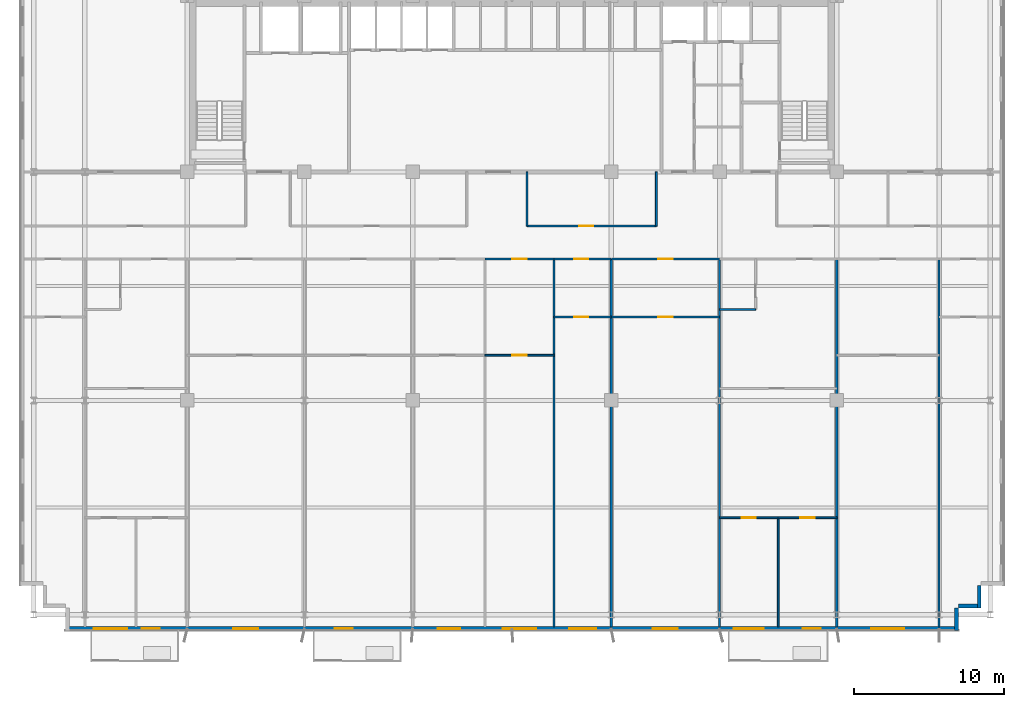
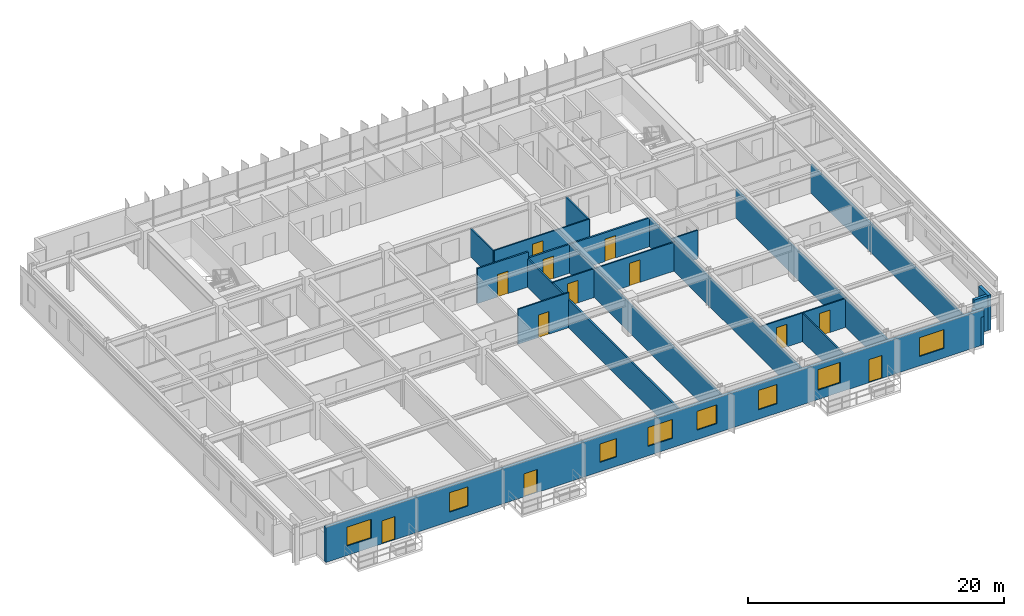
# One storey, part 16 of 22: 22 walls, 12 doors, 8 windows, 20 openings.
"""IFC4 building model written with IfcOpenShell, lengths in metres."""

from ifc_helpers import new_model, si_unit, direction, frame, frame_2d, origin, place, context, subcontext, project, spatial, rectangle, extrude, source, transform, mapped, material, layer, layer_set, type_object, element, fill, save


model = new_model("IFC4")

# Units and contexts
model_context = context("Model", 3, precision=1e-05, world=origin(), true_north=direction((0.0, 1.0)))
body_context = subcontext(model_context, "Body", "Model", "MODEL_VIEW")
ifc_project = project(units=[si_unit("LENGTHUNIT", "METRE"), si_unit("AREAUNIT", "SQUARE_METRE"), si_unit("VOLUMEUNIT", "CUBIC_METRE"), si_unit("PLANEANGLEUNIT", "RADIAN"), si_unit("MASSUNIT", "GRAM", prefix="KILO")], contexts=[model_context])

# Site, building, storey
site_placement = place(None, origin())
site = spatial("IfcSite", under=ifc_project, at=site_placement, CompositionType="ELEMENT")
building_placement = place(site_placement, origin())
building = spatial("IfcBuilding", under=site, at=building_placement, Name="Trelvane Seafront Commons", CompositionType="ELEMENT")
storey_placement = place(building_placement, frame((0.0, 0.0, 59.5)))
storey = spatial("IfcBuildingStorey", under=building, at=storey_placement, Name="L15", CompositionType="ELEMENT", Elevation=59.5)

# Walls
ifc_material_1 = material(Name="Precast concrete C40/50", Category="concrete")
ifc_layer_1 = layer(ifc_material_1, 0.260009765625, Name="ARCH-WALL-EXT260")
ifc_layer_set_1 = layer_set([ifc_layer_1], Name="Precast concrete C40/50")
wall_type_1 = type_object("IfcWallType", Name="ARCH-WALL-EXT260", PredefinedType="SOLIDWALL", material=ifc_layer_set_1)
for number, where, z_axis, x_axis, name in (
    (1, (68.27001953125, 5.89990234375, 0.0), (0.0, 0.0, 1.0), (0.0, -1.0, 0.0), "EW-L15-00271"),
    (2, (68.39990234375, 4.530029296875, 0.0), (0.0, 0.0, 1.0), (-1.0, 0.0, 0.0), "EW-L15-00272"),
):
    element("IfcWall", number, at=place(storey_placement, frame(where, z_axis=z_axis, x_axis=x_axis)), inside=storey, type_object=wall_type_1, Name=name, PredefinedType="SOLIDWALL", context=body_context, shape_type="SweptSolid", body=[
        extrude(rectangle(XDim=1.5, YDim=0.260009765625, at=frame_2d((0.75, 0.0))), origin(), (0.0, 0.0, 1.0), 3.340087890625),
    ])
wall_1_placement = place(storey_placement, frame((66.77001953125, 4.39990234375, 0.0), z_axis=(0.0, 0.0, 1.0), x_axis=(0.0, -1.0, 0.0)))
element("IfcWall", 3, at=wall_1_placement, inside=storey, type_object=wall_type_1, Name="EW-L15-00273", PredefinedType="SOLIDWALL", context=body_context, shape_type="SweptSolid", body=[
    extrude(rectangle(XDim=1.5, YDim=0.260009765625, at=frame_2d((0.75, 0.0))), origin(), (0.0, 0.0, 1.0), 2.68994140625),
])

# Wall, openings, doors, windows
wall_2_placement = place(storey_placement, frame((66.89990234375, 3.030029296875, 0.0), z_axis=(0.0, 0.0, 1.0), x_axis=(-1.0, 0.0, 0.0)))
wall_2 = element("IfcWall", 4, at=wall_2_placement, inside=storey, type_object=wall_type_1, Name="EW-L15-00274", PredefinedType="SOLIDWALL", context=body_context, shape_type="SweptSolid", body=[
    extrude(rectangle(XDim=59.39990234375, YDim=0.260009765625, at=frame_2d((29.699951171875, 0.0))), origin(), (0.0, 0.0, 1.0), 3.340087890625),
])
opening_1_placement = place(wall_2_placement, frame((3.60009765625, 0.0, 0.89990234375)))
opening_1 = element("IfcOpeningElement", 5, at=opening_1_placement, cuts=wall_2, Name="Opening W02", PredefinedType="OPENING", context=body_context, shape_type="SweptSolid", body=[
    extrude(rectangle(XDim=2.199951171875, YDim=1.800048828125, at=frame_2d((1.10009765625, 0.89990234375))), frame((0.0, 0.139892578125, 0.0), z_axis=(0.0, -1.0, 0.0), x_axis=(1.0, 0.0, 0.0)), (0.0, 0.0, 1.0), 0.280029296875),
])
opening_2_placement = place(wall_2_placement, frame((9.179931640625, 0.0, 0.0)))
opening_2 = element("IfcOpeningElement", 6, at=opening_2_placement, cuts=wall_2, Name="Opening BD-L15-39", PredefinedType="OPENING", context=body_context, shape_type="SweptSolid", body=[
    extrude(rectangle(XDim=1.199951171875, YDim=2.199951171875, at=frame_2d((0.60009765625, 1.10009765625))), frame((0.0, 0.139892578125, 0.0), z_axis=(0.0, -1.0, 0.0), x_axis=(1.0, 0.0, 0.0)), (0.0, 0.0, 1.0), 0.280029296875),
])
opening_3_placement = place(wall_2_placement, frame((12.949951171875, 0.0, 0.89990234375)))
opening_3 = element("IfcOpeningElement", 7, at=opening_3_placement, cuts=wall_2, Name="Opening W06", PredefinedType="OPENING", context=body_context, shape_type="SweptSolid", body=[
    extrude(rectangle(XDim=2.0, YDim=1.949951171875, at=frame_2d((1.0, 0.97509765625))), frame((0.0, 0.139892578125, 0.0), z_axis=(0.0, -1.0, 0.0), x_axis=(1.0, 0.0, 0.0)), (0.0, 0.0, 1.0), 0.280029296875),
])
opening_4_placement = place(wall_2_placement, frame((18.675048828125, 0.0, 0.89990234375)))
opening_4 = element("IfcOpeningElement", 8, at=opening_4_placement, cuts=wall_2, Name="Opening W07", PredefinedType="OPENING", context=body_context, shape_type="SweptSolid", body=[
    extrude(rectangle(XDim=1.64990234375, YDim=1.85009765625, at=frame_2d((0.824951171875, 0.925048828125))), frame((0.0, 0.139892578125, 0.0), z_axis=(0.0, -1.0, 0.0), x_axis=(1.0, 0.0, 0.0)), (0.0, 0.0, 1.0), 0.280029296875),
])
opening_5_placement = place(wall_2_placement, frame((24.10009765625, 0.0, 0.89990234375)))
opening_5 = element("IfcOpeningElement", 9, at=opening_5_placement, cuts=wall_2, Name="Opening W01", PredefinedType="OPENING", context=body_context, shape_type="SweptSolid", body=[
    extrude(rectangle(XDim=1.800048828125, YDim=1.800048828125, at=frame_2d((0.89990234375, 0.89990234375))), frame((0.0, 0.139892578125, 0.0), z_axis=(0.0, -1.0, 0.0), x_axis=(1.0, 0.0, 0.0)), (0.0, 0.0, 1.0), 0.280029296875),
])
opening_6_placement = place(wall_2_placement, frame((28.10009765625, 0.0, 0.89990234375)))
opening_6 = element("IfcOpeningElement", 10, at=opening_6_placement, cuts=wall_2, Name="Opening W02", PredefinedType="OPENING", context=body_context, shape_type="SweptSolid", body=[
    extrude(rectangle(XDim=2.199951171875, YDim=1.800048828125, at=frame_2d((1.10009765625, 0.89990234375))), frame((0.0, 0.139892578125, 0.0), z_axis=(0.0, -1.0, 0.0), x_axis=(1.0, 0.0, 0.0)), (0.0, 0.0, 1.0), 0.280029296875),
])
opening_7_placement = place(wall_2_placement, frame((33.14990234375, 0.0, 0.89990234375)))
opening_7 = element("IfcOpeningElement", 11, at=opening_7_placement, cuts=wall_2, Name="Opening W03", PredefinedType="OPENING", context=body_context, shape_type="SweptSolid", body=[
    extrude(rectangle(XDim=1.5, YDim=1.75, at=frame_2d((0.75, 0.875))), frame((0.0, 0.139892578125, 0.0), z_axis=(0.0, -1.0, 0.0), x_axis=(1.0, 0.0, 0.0)), (0.0, 0.0, 1.0), 0.280029296875),
])
opening_8_placement = place(wall_2_placement, frame((40.301025390625, 0.0, 0.0)))
opening_8 = element("IfcOpeningElement", 12, at=opening_8_placement, cuts=wall_2, Name="Opening BD-L15-40", PredefinedType="OPENING", context=body_context, shape_type="SweptSolid", body=[
    extrude(rectangle(XDim=1.199951171875, YDim=2.199951171875, at=frame_2d((0.60009765625, 1.10009765625))), frame((0.0, 0.139892578125, 0.0), z_axis=(0.0, -1.0, 0.0), x_axis=(1.0, 0.0, 0.0)), (0.0, 0.0, 1.0), 0.280029296875),
])
opening_9_placement = place(wall_2_placement, frame((46.574951171875, 0.0, 0.89990234375)))
opening_9 = element("IfcOpeningElement", 13, at=opening_9_placement, cuts=wall_2, Name="Opening W07", PredefinedType="OPENING", context=body_context, shape_type="SweptSolid", body=[
    extrude(rectangle(XDim=1.64990234375, YDim=1.85009765625, at=frame_2d((0.824951171875, 0.925048828125))), frame((0.0, 0.139892578125, 0.0), z_axis=(0.0, -1.0, 0.0), x_axis=(1.0, 0.0, 0.0)), (0.0, 0.0, 1.0), 0.280029296875),
])
opening_10_placement = place(wall_2_placement, frame((53.135986328125, 0.0, 0.0)))
opening_10 = element("IfcOpeningElement", 14, at=opening_10_placement, cuts=wall_2, Name="Opening BD-L15-41", PredefinedType="OPENING", context=body_context, shape_type="SweptSolid", body=[
    extrude(rectangle(XDim=1.199951171875, YDim=2.199951171875, at=frame_2d((0.60009765625, 1.10009765625))), frame((0.0, 0.139892578125, 0.0), z_axis=(0.0, -1.0, 0.0), x_axis=(1.0, 0.0, 0.0)), (0.0, 0.0, 1.0), 0.280029296875),
])
opening_11_placement = place(wall_2_placement, frame((55.300048828125, 0.0, 0.89990234375)))
opening_11 = element("IfcOpeningElement", 15, at=opening_11_placement, cuts=wall_2, Name="Opening W02", PredefinedType="OPENING", context=body_context, shape_type="SweptSolid", body=[
    extrude(rectangle(XDim=2.199951171875, YDim=1.800048828125, at=frame_2d((1.10009765625, 0.89990234375))), frame((0.0, 0.139892578125, 0.0), z_axis=(0.0, -1.0, 0.0), x_axis=(1.0, 0.0, 0.0)), (0.0, 0.0, 1.0), 0.280029296875),
])
ifc_material_2 = material(Name="Powder-coated aluminium frame", Category="aluminium")
door_type_1 = type_object("IfcDoorType", Name="ARCH-DR-BAL1200", OperationType="NOTDEFINED", PredefinedType="DOOR", material=ifc_material_2)
shared_shape_1 = source(origin(), body_context, "Body", "SweptSolid", [
    extrude(rectangle(XDim=1.199951171875, YDim=2.199951171875, at=frame_2d((0.60009765625, 1.10009765625))), frame((0.0, 0.02490234375, 0.0), z_axis=(0.0, -1.0, 0.0), x_axis=(1.0, 0.0, 0.0)), (0.0, 0.0, 1.0), 0.050048828125),
])
door_1_placement = place(opening_2_placement, origin())
door_1 = element("IfcDoor", 16, at=door_1_placement, inside=storey, type_object=door_type_1, Name="L15 Balcony Terrace Access Door", OperationType="SINGLE_SWING_LEFT", OverallHeight=2.199951171875, OverallWidth=1.199951171875, PredefinedType="DOOR", context=body_context, shape_type="MappedRepresentation", body=[
    mapped(shared_shape_1, transform((0.0, 0.0, 0.0), x_axis=(1.0, 0.0, 0.0), y_axis=(0.0, 1.0, 0.0), z_axis=(0.0, 0.0, 1.0), scale=1.0)),
])
fill(opening_2, door_1)
door_2_placement = place(opening_8_placement, origin())
door_2 = element("IfcDoor", 17, at=door_2_placement, inside=storey, type_object=door_type_1, Name="L15 Balcony Terrace Access Door", OperationType="SINGLE_SWING_LEFT", OverallHeight=2.199951171875, OverallWidth=1.199951171875, PredefinedType="DOOR", context=body_context, shape_type="MappedRepresentation", body=[
    mapped(shared_shape_1, transform((0.0, 0.0, 0.0), x_axis=(1.0, 0.0, 0.0), y_axis=(0.0, 1.0, 0.0), z_axis=(0.0, 0.0, 1.0), scale=1.0)),
])
fill(opening_8, door_2)
door_3_placement = place(opening_10_placement, origin())
door_3 = element("IfcDoor", 18, at=door_3_placement, inside=storey, type_object=door_type_1, Name="L15 Balcony Terrace Access Door", OperationType="SINGLE_SWING_LEFT", OverallHeight=2.199951171875, OverallWidth=1.199951171875, PredefinedType="DOOR", context=body_context, shape_type="MappedRepresentation", body=[
    mapped(shared_shape_1, transform((0.0, 0.0, 0.0), x_axis=(1.0, 0.0, 0.0), y_axis=(0.0, 1.0, 0.0), z_axis=(0.0, 0.0, 1.0), scale=1.0)),
])
fill(opening_10, door_3)
ifc_material_3 = material(Name="Low-E coastal double glazing", Category="glass")
window_type_1 = type_object("IfcWindowType", Name="ARCH-WIN-W02", PartitioningType="SINGLE_PANEL", PredefinedType="WINDOW", material=ifc_material_3)
shared_shape_2 = source(origin(), body_context, "Body", "SweptSolid", [
    extrude(rectangle(XDim=2.199951171875, YDim=1.800048828125, at=frame_2d((1.10009765625, 0.89990234375))), frame((0.0, 0.030029296875, 0.0), z_axis=(0.0, -1.0, 0.0), x_axis=(1.0, 0.0, 0.0)), (0.0, 0.0, 1.0), 0.06005859375),
])
window_1_placement = place(opening_1_placement, origin())
window_1 = element("IfcWindow", 19, at=window_1_placement, inside=storey, type_object=window_type_1, Name="WIN-L15-00324", OverallHeight=1.800048828125, OverallWidth=2.199951171875, PartitioningType="SINGLE_PANEL", PredefinedType="WINDOW", context=body_context, shape_type="MappedRepresentation", body=[
    mapped(shared_shape_2, transform((0.0, 0.0, 0.0), x_axis=(1.0, 0.0, 0.0), y_axis=(0.0, 1.0, 0.0), z_axis=(0.0, 0.0, 1.0), scale=1.0)),
])
fill(opening_1, window_1)
window_2_placement = place(opening_6_placement, origin())
window_2 = element("IfcWindow", 20, at=window_2_placement, inside=storey, type_object=window_type_1, Name="WIN-L15-00328", OverallHeight=1.800048828125, OverallWidth=2.199951171875, PartitioningType="SINGLE_PANEL", PredefinedType="WINDOW", context=body_context, shape_type="MappedRepresentation", body=[
    mapped(shared_shape_2, transform((0.0, 0.0, 0.0), x_axis=(1.0, 0.0, 0.0), y_axis=(0.0, 1.0, 0.0), z_axis=(0.0, 0.0, 1.0), scale=1.0)),
])
fill(opening_6, window_2)
window_3_placement = place(opening_11_placement, origin())
window_3 = element("IfcWindow", 21, at=window_3_placement, inside=storey, type_object=window_type_1, Name="WIN-L15-00331", OverallHeight=1.800048828125, OverallWidth=2.199951171875, PartitioningType="SINGLE_PANEL", PredefinedType="WINDOW", context=body_context, shape_type="MappedRepresentation", body=[
    mapped(shared_shape_2, transform((0.0, 0.0, 0.0), x_axis=(1.0, 0.0, 0.0), y_axis=(0.0, 1.0, 0.0), z_axis=(0.0, 0.0, 1.0), scale=1.0)),
])
fill(opening_11, window_3)
window_type_2 = type_object("IfcWindowType", Name="ARCH-WIN-W03", PartitioningType="SINGLE_PANEL", PredefinedType="WINDOW", material=ifc_material_3)
shared_shape_3 = source(origin(), body_context, "Body", "SweptSolid", [
    extrude(rectangle(XDim=1.5, YDim=1.75, at=frame_2d((0.75, 0.875))), frame((0.0, 0.030029296875, 0.0), z_axis=(0.0, -1.0, 0.0), x_axis=(1.0, 0.0, 0.0)), (0.0, 0.0, 1.0), 0.06005859375),
])
window_4_placement = place(opening_7_placement, origin())
window_4 = element("IfcWindow", 22, at=window_4_placement, inside=storey, type_object=window_type_2, Name="WIN-L15-00329", OverallHeight=1.75, OverallWidth=1.5, PartitioningType="SINGLE_PANEL", PredefinedType="WINDOW", context=body_context, shape_type="MappedRepresentation", body=[
    mapped(shared_shape_3, transform((0.0, 0.0, 0.0), x_axis=(1.0, 0.0, 0.0), y_axis=(0.0, 1.0, 0.0), z_axis=(0.0, 0.0, 1.0), scale=1.0)),
])
fill(opening_7, window_4)
window_type_3 = type_object("IfcWindowType", Name="ARCH-WIN-W06", PartitioningType="SINGLE_PANEL", PredefinedType="WINDOW", material=ifc_material_3)
shared_shape_4 = source(origin(), body_context, "Body", "SweptSolid", [
    extrude(rectangle(XDim=2.0, YDim=1.949951171875, at=frame_2d((1.0, 0.97509765625))), frame((0.0, 0.030029296875, 0.0), z_axis=(0.0, -1.0, 0.0), x_axis=(1.0, 0.0, 0.0)), (0.0, 0.0, 1.0), 0.06005859375),
])
window_5_placement = place(opening_3_placement, origin())
window_5 = element("IfcWindow", 23, at=window_5_placement, inside=storey, type_object=window_type_3, Name="WIN-L15-00325", OverallHeight=1.949951171875, OverallWidth=2.0, PartitioningType="SINGLE_PANEL", PredefinedType="WINDOW", context=body_context, shape_type="MappedRepresentation", body=[
    mapped(shared_shape_4, transform((0.0, 0.0, 0.0), x_axis=(1.0, 0.0, 0.0), y_axis=(0.0, 1.0, 0.0), z_axis=(0.0, 0.0, 1.0), scale=1.0)),
])
fill(opening_3, window_5)
window_type_4 = type_object("IfcWindowType", Name="ARCH-WIN-W01", PartitioningType="SINGLE_PANEL", PredefinedType="WINDOW", material=ifc_material_3)
shared_shape_5 = source(origin(), body_context, "Body", "SweptSolid", [
    extrude(rectangle(XDim=1.800048828125, YDim=1.800048828125, at=frame_2d((0.89990234375, 0.89990234375))), frame((0.0, 0.030029296875, 0.0), z_axis=(0.0, -1.0, 0.0), x_axis=(1.0, 0.0, 0.0)), (0.0, 0.0, 1.0), 0.06005859375),
])
window_6_placement = place(opening_5_placement, origin())
window_6 = element("IfcWindow", 24, at=window_6_placement, inside=storey, type_object=window_type_4, Name="WIN-L15-00327", OverallHeight=1.800048828125, OverallWidth=1.800048828125, PartitioningType="SINGLE_PANEL", PredefinedType="WINDOW", context=body_context, shape_type="MappedRepresentation", body=[
    mapped(shared_shape_5, transform((0.0, 0.0, 0.0), x_axis=(1.0, 0.0, 0.0), y_axis=(0.0, 1.0, 0.0), z_axis=(0.0, 0.0, 1.0), scale=1.0)),
])
fill(opening_5, window_6)
window_type_5 = type_object("IfcWindowType", Name="ARCH-WIN-W07", PartitioningType="SINGLE_PANEL", PredefinedType="WINDOW", material=ifc_material_3)
shared_shape_6 = source(origin(), body_context, "Body", "SweptSolid", [
    extrude(rectangle(XDim=1.64990234375, YDim=1.85009765625, at=frame_2d((0.824951171875, 0.925048828125))), frame((0.0, 0.030029296875, 0.0), z_axis=(0.0, -1.0, 0.0), x_axis=(1.0, 0.0, 0.0)), (0.0, 0.0, 1.0), 0.06005859375),
])
window_7_placement = place(opening_4_placement, origin())
window_7 = element("IfcWindow", 25, at=window_7_placement, inside=storey, type_object=window_type_5, Name="WIN-L15-00326", OverallHeight=1.85009765625, OverallWidth=1.64990234375, PartitioningType="SINGLE_PANEL", PredefinedType="WINDOW", context=body_context, shape_type="MappedRepresentation", body=[
    mapped(shared_shape_6, transform((0.0, 0.0, 0.0), x_axis=(1.0, 0.0, 0.0), y_axis=(0.0, 1.0, 0.0), z_axis=(0.0, 0.0, 1.0), scale=1.0)),
])
fill(opening_4, window_7)
window_8_placement = place(opening_9_placement, origin())
window_8 = element("IfcWindow", 26, at=window_8_placement, inside=storey, type_object=window_type_5, Name="WIN-L15-00330", OverallHeight=1.85009765625, OverallWidth=1.64990234375, PartitioningType="SINGLE_PANEL", PredefinedType="WINDOW", context=body_context, shape_type="MappedRepresentation", body=[
    mapped(shared_shape_6, transform((0.0, 0.0, 0.0), x_axis=(1.0, 0.0, 0.0), y_axis=(0.0, 1.0, 0.0), z_axis=(0.0, 0.0, 1.0), scale=1.0)),
])
fill(opening_9, window_8)

# Wall, opening, door
ifc_material_4 = material(Name="Gypsum Drywall Acoustic Partition")
ifc_layer_2 = layer(ifc_material_4, 0.1201171875, Name="ARCH-WALL-PART120")
ifc_layer_set_2 = layer_set([ifc_layer_2], Name="Gypsum Drywall Acoustic Partition")
wall_type_2 = type_object("IfcWallType", Name="ARCH-WALL-PART120", PredefinedType="PARTITIONING", material=ifc_layer_set_2)
wall_3_placement = place(storey_placement, frame((38.199951171875, 29.800048828125, 0.0), z_axis=(0.0, 0.0, 1.0), x_axis=(1.0, 0.0, 0.0)))
wall_3 = element("IfcWall", 27, at=wall_3_placement, inside=storey, type_object=wall_type_2, Name="W-L15-CORR-N-M2-041", PredefinedType="PARTITIONING", context=body_context, shape_type="SweptSolid", body=[
    extrude(rectangle(XDim=8.60009765625, YDim=0.1201171875, at=frame_2d((4.300048828125, 0.0))), origin(), (0.0, 0.0, 1.0), 2.751953125),
])
opening_12_placement = place(wall_3_placement, frame((3.4619140625, 0.0, 0.0)))
opening_12 = element("IfcOpeningElement", 28, at=opening_12_placement, cuts=wall_3, Name="Opening D-L15-21", PredefinedType="OPENING", context=body_context, shape_type="SweptSolid", body=[
    extrude(rectangle(XDim=0.949951171875, YDim=2.14990234375, at=frame_2d((0.47509765625, 1.074951171875))), frame((0.0, 0.070068359375, 0.0), z_axis=(0.0, -1.0, 0.0), x_axis=(1.0, 0.0, 0.0)), (0.0, 0.0, 1.0), 0.14013671875),
])
ifc_material_5 = material(Name="Acoustic timber door leaf", Category="wood")
door_type_2 = type_object("IfcDoorType", Name="ARCH-DR-INT950", OperationType="NOTDEFINED", PredefinedType="DOOR", material=ifc_material_5)
shared_shape_7 = source(origin(), body_context, "Body", "SweptSolid", [
    extrude(rectangle(XDim=0.949951171875, YDim=2.14990234375, at=frame_2d((0.47509765625, 1.074951171875))), frame((0.0, 0.02490234375, 0.0), z_axis=(0.0, -1.0, 0.0), x_axis=(1.0, 0.0, 0.0)), (0.0, 0.0, 1.0), 0.050048828125),
])
door_4_placement = place(opening_12_placement, origin())
door_4 = element("IfcDoor", 29, at=door_4_placement, inside=storey, type_object=door_type_2, Name="L15 Door 21", OperationType="SINGLE_SWING_LEFT", OverallHeight=2.14990234375, OverallWidth=0.949951171875, PredefinedType="DOOR", context=body_context, shape_type="MappedRepresentation", body=[
    mapped(shared_shape_7, transform((0.0, 0.0, 0.0), x_axis=(1.0, 0.0, 0.0), y_axis=(0.0, 1.0, 0.0), z_axis=(0.0, 0.0, 1.0), scale=1.0)),
])
fill(opening_12, door_4)

# Walls
for number, where, z_axis, x_axis, name in (
    (30, (38.199951171875, 29.800048828125, 0.0), (0.0, 0.0, 1.0), (0.0, 1.0, 0.0), "W-L15-N-SPUR-M2-047"),
    (31, (46.800048828125, 29.800048828125, 0.0), (0.0, 0.0, 1.0), (0.0, 1.0, 0.0), "W-L15-N-SPUR-E1-048"),
):
    element("IfcWall", number, at=place(storey_placement, frame(where, z_axis=z_axis, x_axis=x_axis)), inside=storey, type_object=wall_type_2, Name=name, PredefinedType="PARTITIONING", context=body_context, shape_type="SweptSolid", body=[
        extrude(rectangle(XDim=3.599853515625, YDim=0.1201171875, at=frame_2d((1.7998046875, 0.0))), origin(), (0.0, 0.0, 1.0), 2.68994140625),
    ])

# Wall, opening, door
wall_4_placement = place(storey_placement, frame((35.39990234375, 21.199951171875, 0.0), z_axis=(0.0, 0.0, 1.0), x_axis=(1.0, 0.0, 0.0)))
wall_4 = element("IfcWall", 32, at=wall_4_placement, inside=storey, type_object=wall_type_2, Name="W-L15-U6-DIV-081", PredefinedType="PARTITIONING", context=body_context, shape_type="SweptSolid", body=[
    extrude(rectangle(XDim=4.60009765625, YDim=0.1201171875, at=frame_2d((2.300048828125, 0.0))), origin(), (0.0, 0.0, 1.0), 3.340087890625),
])
opening_13_placement = place(wall_4_placement, frame((1.824951171875, 0.0, 0.0)))
opening_13 = element("IfcOpeningElement", 33, at=opening_13_placement, cuts=wall_4, Name="Opening D-L15-43", PredefinedType="OPENING", context=body_context, shape_type="SweptSolid", body=[
    extrude(rectangle(XDim=0.949951171875, YDim=2.14990234375, at=frame_2d((0.47509765625, 1.074951171875))), frame((0.0, 0.070068359375, 0.0), z_axis=(0.0, -1.0, 0.0), x_axis=(1.0, 0.0, 0.0)), (0.0, 0.0, 1.0), 0.14013671875),
])
door_5_placement = place(opening_13_placement, origin())
door_5 = element("IfcDoor", 34, at=door_5_placement, inside=storey, type_object=door_type_2, Name="L15 Door 43", OperationType="SINGLE_SWING_LEFT", OverallHeight=2.14990234375, OverallWidth=0.949951171875, PredefinedType="DOOR", context=body_context, shape_type="MappedRepresentation", body=[
    mapped(shared_shape_7, transform((0.0, 0.0, 0.0), x_axis=(1.0, 0.0, 0.0), y_axis=(0.0, 1.0, 0.0), z_axis=(0.0, 0.0, 1.0), scale=1.0)),
])
fill(opening_13, door_5)

wall_5_placement = place(storey_placement, frame((40.0, 23.75, 0.0), z_axis=(0.0, 0.0, 1.0), x_axis=(1.0, 0.0, 0.0)))
wall_5 = element("IfcWall", 35, at=wall_5_placement, inside=storey, type_object=wall_type_2, Name="W-L15-U7-DIV-083", PredefinedType="PARTITIONING", context=body_context, shape_type="SweptSolid", body=[
    extrude(rectangle(XDim=3.800048828125, YDim=0.1201171875, at=frame_2d((1.89990234375, 0.0))), origin(), (0.0, 0.0, 1.0), 2.751953125),
])
opening_14_placement = place(wall_5_placement, frame((1.330078125, 0.0, 0.0)))
opening_14 = element("IfcOpeningElement", 36, at=opening_14_placement, cuts=wall_5, Name="Opening D-L15-45", PredefinedType="OPENING", context=body_context, shape_type="SweptSolid", body=[
    extrude(rectangle(XDim=0.949951171875, YDim=2.14990234375, at=frame_2d((0.47509765625, 1.074951171875))), frame((0.0, 0.070068359375, 0.0), z_axis=(0.0, -1.0, 0.0), x_axis=(1.0, 0.0, 0.0)), (0.0, 0.0, 1.0), 0.14013671875),
])
door_6_placement = place(opening_14_placement, origin())
door_6 = element("IfcDoor", 37, at=door_6_placement, inside=storey, type_object=door_type_2, Name="L15 Door 45", OperationType="SINGLE_SWING_LEFT", OverallHeight=2.14990234375, OverallWidth=0.949951171875, PredefinedType="DOOR", context=body_context, shape_type="MappedRepresentation", body=[
    mapped(shared_shape_7, transform((0.0, 0.0, 0.0), x_axis=(1.0, 0.0, 0.0), y_axis=(0.0, 1.0, 0.0), z_axis=(0.0, 0.0, 1.0), scale=1.0)),
])
fill(opening_14, door_6)

wall_6_placement = place(storey_placement, frame((43.800048828125, 23.75, 0.0), z_axis=(0.0, 0.0, 1.0), x_axis=(1.0, 0.0, 0.0)))
wall_6 = element("IfcWall", 38, at=wall_6_placement, inside=storey, type_object=wall_type_2, Name="W-L15-U8-DIV-085", PredefinedType="PARTITIONING", context=body_context, shape_type="SweptSolid", body=[
    extrude(rectangle(XDim=7.199951171875, YDim=0.1201171875, at=frame_2d((3.60009765625, 0.0))), origin(), (0.0, 0.0, 1.0), 2.751953125),
])
opening_15_placement = place(wall_6_placement, frame((3.125, 0.0, 0.0)))
opening_15 = element("IfcOpeningElement", 39, at=opening_15_placement, cuts=wall_6, Name="Opening D-L15-47", PredefinedType="OPENING", context=body_context, shape_type="SweptSolid", body=[
    extrude(rectangle(XDim=0.949951171875, YDim=2.14990234375, at=frame_2d((0.47509765625, 1.074951171875))), frame((0.0, 0.070068359375, 0.0), z_axis=(0.0, -1.0, 0.0), x_axis=(1.0, 0.0, 0.0)), (0.0, 0.0, 1.0), 0.14013671875),
])
door_7_placement = place(opening_15_placement, origin())
door_7 = element("IfcDoor", 40, at=door_7_placement, inside=storey, type_object=door_type_2, Name="L15 Door 47", OperationType="SINGLE_SWING_LEFT", OverallHeight=2.14990234375, OverallWidth=0.949951171875, PredefinedType="DOOR", context=body_context, shape_type="MappedRepresentation", body=[
    mapped(shared_shape_7, transform((0.0, 0.0, 0.0), x_axis=(1.0, 0.0, 0.0), y_axis=(0.0, 1.0, 0.0), z_axis=(0.0, 0.0, 1.0), scale=1.0)),
])
fill(opening_15, door_7)

# Wall
wall_7_placement = place(storey_placement, frame((51.0, 24.25, 0.0), z_axis=(0.0, 0.0, 1.0), x_axis=(1.0, 0.0, 0.0)))
element("IfcWall", 41, at=wall_7_placement, inside=storey, type_object=wall_type_2, Name="W-L15-U9-BS-088", PredefinedType="PARTITIONING", context=body_context, shape_type="SweptSolid", body=[
    extrude(rectangle(XDim=2.39990234375, YDim=0.1201171875, at=frame_2d((1.199951171875, 0.0))), origin(), (0.0, 0.0, 1.0), 2.751953125),
])

# Wall, opening, door
wall_8_placement = place(storey_placement, frame((51.0, 10.39990234375, 0.0), z_axis=(0.0, 0.0, 1.0), x_axis=(1.0, 0.0, 0.0)))
wall_8 = element("IfcWall", 42, at=wall_8_placement, inside=storey, type_object=wall_type_2, Name="W-L15-U9-YM-1-090", PredefinedType="PARTITIONING", context=body_context, shape_type="SweptSolid", body=[
    extrude(rectangle(XDim=3.89990234375, YDim=0.1201171875, at=frame_2d((1.949951171875, 0.0))), origin(), (0.0, 0.0, 1.0), 2.751953125),
])
opening_16_placement = place(wall_8_placement, frame((1.47509765625, 0.0, 0.0)))
opening_16 = element("IfcOpeningElement", 43, at=opening_16_placement, cuts=wall_8, Name="Opening D-L15-51", PredefinedType="OPENING", context=body_context, shape_type="SweptSolid", body=[
    extrude(rectangle(XDim=0.949951171875, YDim=2.14990234375, at=frame_2d((0.47509765625, 1.074951171875))), frame((0.0, 0.070068359375, 0.0), z_axis=(0.0, -1.0, 0.0), x_axis=(1.0, 0.0, 0.0)), (0.0, 0.0, 1.0), 0.14013671875),
])
door_8_placement = place(opening_16_placement, origin())
door_8 = element("IfcDoor", 44, at=door_8_placement, inside=storey, type_object=door_type_2, Name="L15 Door 51", OperationType="SINGLE_SWING_LEFT", OverallHeight=2.14990234375, OverallWidth=0.949951171875, PredefinedType="DOOR", context=body_context, shape_type="MappedRepresentation", body=[
    mapped(shared_shape_7, transform((0.0, 0.0, 0.0), x_axis=(1.0, 0.0, 0.0), y_axis=(0.0, 1.0, 0.0), z_axis=(0.0, 0.0, 1.0), scale=1.0)),
])
fill(opening_16, door_8)

wall_9_placement = place(storey_placement, frame((54.89990234375, 10.39990234375, 0.0), z_axis=(0.0, 0.0, 1.0), x_axis=(1.0, 0.0, 0.0)))
wall_9 = element("IfcWall", 45, at=wall_9_placement, inside=storey, type_object=wall_type_2, Name="W-L15-U9-YM-2-091", PredefinedType="PARTITIONING", context=body_context, shape_type="SweptSolid", body=[
    extrude(rectangle(XDim=3.900146484375, YDim=0.1201171875, at=frame_2d((1.9501953125, 0.0))), origin(), (0.0, 0.0, 1.0), 2.751953125),
])
opening_17_placement = place(wall_9_placement, frame((1.47509765625, 0.0, 0.0)))
opening_17 = element("IfcOpeningElement", 46, at=opening_17_placement, cuts=wall_9, Name="Opening D-L15-52", PredefinedType="OPENING", context=body_context, shape_type="SweptSolid", body=[
    extrude(rectangle(XDim=0.949951171875, YDim=2.14990234375, at=frame_2d((0.47509765625, 1.074951171875))), frame((0.0, 0.070068359375, 0.0), z_axis=(0.0, -1.0, 0.0), x_axis=(1.0, 0.0, 0.0)), (0.0, 0.0, 1.0), 0.14013671875),
])
door_9_placement = place(opening_17_placement, origin())
door_9 = element("IfcDoor", 47, at=door_9_placement, inside=storey, type_object=door_type_2, Name="L15 Door 52", OperationType="SINGLE_SWING_RIGHT", OverallHeight=2.14990234375, OverallWidth=0.949951171875, PredefinedType="DOOR", context=body_context, shape_type="MappedRepresentation", body=[
    mapped(shared_shape_7, transform((0.0, 0.0, 0.0), x_axis=(1.0, 0.0, 0.0), y_axis=(0.0, 1.0, 0.0), z_axis=(0.0, 0.0, 1.0), scale=1.0)),
])
fill(opening_17, door_9)

# Walls
wall_10_placement = place(storey_placement, frame((54.89990234375, 3.14501953125, 0.0), z_axis=(0.0, 0.0, 1.0), x_axis=(0.0, 1.0, 0.0)))
element("IfcWall", 48, at=wall_10_placement, inside=storey, type_object=wall_type_2, Name="W-L15-U9-BDV-1-092", PredefinedType="PARTITIONING", context=body_context, shape_type="SweptSolid", body=[
    extrude(rectangle(XDim=7.2548828125, YDim=0.1201171875, at=frame_2d((3.62744140625, 0.0))), origin(), (0.0, 0.0, 1.0), 2.68994140625),
])
ifc_layer_3 = layer(ifc_material_4, 0.14990234375, Name="ARCH-WALL-PART150")
ifc_layer_set_3 = layer_set([ifc_layer_3], Name="Gypsum Drywall Acoustic Partition")
wall_type_3 = type_object("IfcWallType", Name="ARCH-WALL-PART150", PredefinedType="PARTITIONING", material=ifc_layer_set_3)
wall_11_placement = place(storey_placement, frame((40.0, 3.14501953125, 0.0), z_axis=(0.0, 0.0, 1.0), x_axis=(0.0, 1.0, 0.0)))
element("IfcWall", 49, at=wall_11_placement, inside=storey, type_object=wall_type_3, Name="W-L15-PW-6-060", PredefinedType="PARTITIONING", context=body_context, shape_type="SweptSolid", body=[
    extrude(rectangle(XDim=24.455078125, YDim=0.14990234375, at=frame_2d((12.2275390625, 0.0))), origin(), (0.0, 0.0, 1.0), 2.68994140625),
])
for number, where, z_axis, x_axis, name in (
    (50, (43.800048828125, 3.14501953125, 0.0), (0.0, 0.0, 1.0), (0.0, 1.0, 0.0), "W-L15-PW-7-061"),
    (51, (51.0, 3.14501953125, 0.0), (0.0, 0.0, 1.0), (0.0, 1.0, 0.0), "W-L15-PW-8-062"),
    (52, (58.800048828125, 3.14501953125, 0.0), (0.0, 0.0, 1.0), (0.0, 1.0, 0.0), "W-L15-PW-9-063"),
    (53, (65.60009765625, 3.14501953125, 0.0), (0.0, 0.0, 1.0), (0.0, 1.0, 0.0), "W-L15-PW-10-064"),
):
    element("IfcWall", number, at=place(storey_placement, frame(where, z_axis=z_axis, x_axis=x_axis)), inside=storey, type_object=wall_type_3, Name=name, PredefinedType="PARTITIONING", context=body_context, shape_type="SweptSolid", body=[
        extrude(rectangle(XDim=24.455078125, YDim=0.14990234375, at=frame_2d((12.2275390625, 0.0))), origin(), (0.0, 0.0, 1.0), 2.751953125),
    ])

# Wall, opening, door
wall_12_placement = place(storey_placement, frame((35.39990234375, 27.60009765625, 0.0), z_axis=(0.0, 0.0, 1.0), x_axis=(1.0, 0.0, 0.0)))
wall_12 = element("IfcWall", 54, at=wall_12_placement, inside=storey, type_object=wall_type_3, Name="W-L15-CS-BAY-6-080", PredefinedType="PARTITIONING", context=body_context, shape_type="SweptSolid", body=[
    extrude(rectangle(XDim=4.60009765625, YDim=0.14990234375, at=frame_2d((2.300048828125, 0.0))), origin(), (0.0, 0.0, 1.0), 3.340087890625),
])
opening_18_placement = place(wall_12_placement, frame((1.824951171875, 0.0, 0.0)))
opening_18 = element("IfcOpeningElement", 55, at=opening_18_placement, cuts=wall_12, Name="Opening FD-L15-42", PredefinedType="OPENING", context=body_context, shape_type="SweptSolid", body=[
    extrude(rectangle(XDim=0.949951171875, YDim=2.14990234375, at=frame_2d((0.47509765625, 1.074951171875))), frame((0.0, 0.0849609375, 0.0), z_axis=(0.0, -1.0, 0.0), x_axis=(1.0, 0.0, 0.0)), (0.0, 0.0, 1.0), 0.169921875),
])
door_type_3 = type_object("IfcDoorType", Name="ARCH-DR-FD60-950", OperationType="NOTDEFINED", PredefinedType="DOOR", material=ifc_material_2)
door_10_placement = place(opening_18_placement, origin())
door_10 = element("IfcDoor", 56, at=door_10_placement, inside=storey, type_object=door_type_3, Name="L15 Bay 06 Entrance Door", OperationType="SINGLE_SWING_RIGHT", OverallHeight=2.14990234375, OverallWidth=0.949951171875, PredefinedType="DOOR", context=body_context, shape_type="MappedRepresentation", body=[
    mapped(shared_shape_7, transform((0.0, 0.0, 0.0), x_axis=(1.0, 0.0, 0.0), y_axis=(0.0, 1.0, 0.0), z_axis=(0.0, 0.0, 1.0), scale=1.0)),
])
fill(opening_18, door_10)

wall_13_placement = place(storey_placement, frame((40.0, 27.60009765625, 0.0), z_axis=(0.0, 0.0, 1.0), x_axis=(1.0, 0.0, 0.0)))
wall_13 = element("IfcWall", 57, at=wall_13_placement, inside=storey, type_object=wall_type_3, Name="W-L15-CS-BAY-7-082", PredefinedType="PARTITIONING", context=body_context, shape_type="SweptSolid", body=[
    extrude(rectangle(XDim=3.800048828125, YDim=0.14990234375, at=frame_2d((1.89990234375, 0.0))), origin(), (0.0, 0.0, 1.0), 2.751953125),
])
opening_19_placement = place(wall_13_placement, frame((1.330078125, 0.0, 0.0)))
opening_19 = element("IfcOpeningElement", 58, at=opening_19_placement, cuts=wall_13, Name="Opening FD-L15-44", PredefinedType="OPENING", context=body_context, shape_type="SweptSolid", body=[
    extrude(rectangle(XDim=0.949951171875, YDim=2.14990234375, at=frame_2d((0.47509765625, 1.074951171875))), frame((0.0, 0.0849609375, 0.0), z_axis=(0.0, -1.0, 0.0), x_axis=(1.0, 0.0, 0.0)), (0.0, 0.0, 1.0), 0.169921875),
])
door_11_placement = place(opening_19_placement, origin())
door_11 = element("IfcDoor", 59, at=door_11_placement, inside=storey, type_object=door_type_3, Name="L15 Bay 07 Entrance Door", OperationType="SINGLE_SWING_RIGHT", OverallHeight=2.14990234375, OverallWidth=0.949951171875, PredefinedType="DOOR", context=body_context, shape_type="MappedRepresentation", body=[
    mapped(shared_shape_7, transform((0.0, 0.0, 0.0), x_axis=(1.0, 0.0, 0.0), y_axis=(0.0, 1.0, 0.0), z_axis=(0.0, 0.0, 1.0), scale=1.0)),
])
fill(opening_19, door_11)

wall_14_placement = place(storey_placement, frame((43.800048828125, 27.60009765625, 0.0), z_axis=(0.0, 0.0, 1.0), x_axis=(1.0, 0.0, 0.0)))
wall_14 = element("IfcWall", 60, at=wall_14_placement, inside=storey, type_object=wall_type_3, Name="W-L15-CS-BAY-8-084", PredefinedType="PARTITIONING", context=body_context, shape_type="SweptSolid", body=[
    extrude(rectangle(XDim=7.199951171875, YDim=0.14990234375, at=frame_2d((3.60009765625, 0.0))), origin(), (0.0, 0.0, 1.0), 2.751953125),
])
opening_20_placement = place(wall_14_placement, frame((3.125, 0.0, 0.0)))
opening_20 = element("IfcOpeningElement", 61, at=opening_20_placement, cuts=wall_14, Name="Opening FD-L15-46", PredefinedType="OPENING", context=body_context, shape_type="SweptSolid", body=[
    extrude(rectangle(XDim=0.949951171875, YDim=2.14990234375, at=frame_2d((0.47509765625, 1.074951171875))), frame((0.0, 0.0849609375, 0.0), z_axis=(0.0, -1.0, 0.0), x_axis=(1.0, 0.0, 0.0)), (0.0, 0.0, 1.0), 0.169921875),
])
door_12_placement = place(opening_20_placement, origin())
door_12 = element("IfcDoor", 62, at=door_12_placement, inside=storey, type_object=door_type_3, Name="L15 Bay 08 Entrance Door", OperationType="SINGLE_SWING_RIGHT", OverallHeight=2.14990234375, OverallWidth=0.949951171875, PredefinedType="DOOR", context=body_context, shape_type="MappedRepresentation", body=[
    mapped(shared_shape_7, transform((0.0, 0.0, 0.0), x_axis=(1.0, 0.0, 0.0), y_axis=(0.0, 1.0, 0.0), z_axis=(0.0, 0.0, 1.0), scale=1.0)),
])
fill(opening_20, door_12)

save(model, "model.ifc")
